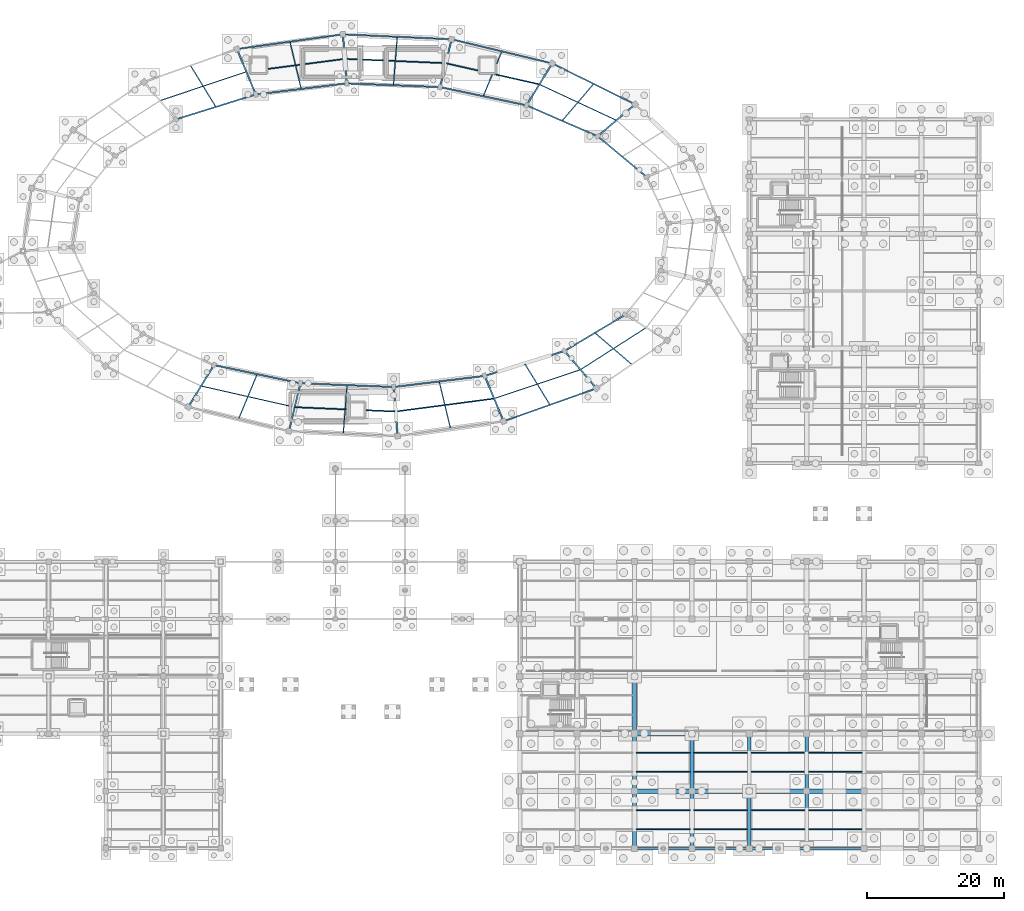
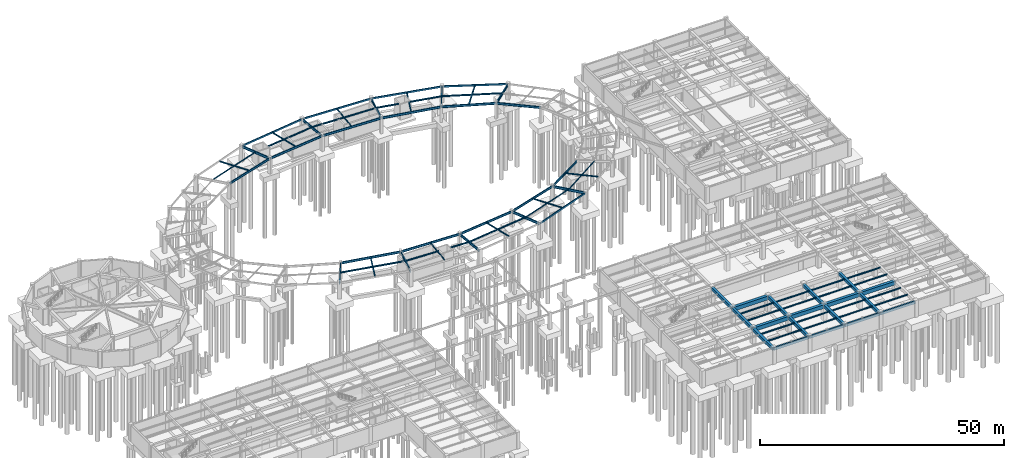
# One storey, part 18 of 38: 83 beams.
"""IFC4 building model written with IfcOpenShell, lengths in metres."""

from ifc_helpers import new_model, si_unit, direction, frame, origin, origin_2d, place, context, subcontext, project, spatial, rectangle, hollow_rectangle, i_section, extrude, material, material_profile, profile_set, type_object, element, save


model = new_model("IFC4")

# Units and contexts
model_context = context("Model", 3, precision=1e-05, world=origin(), true_north=direction((0.0, 1.0)))
body_context = subcontext(model_context, "Body", "Model", "MODEL_VIEW")
ifc_project = project(units=[si_unit("LENGTHUNIT", "METRE"), si_unit("AREAUNIT", "SQUARE_METRE"), si_unit("VOLUMEUNIT", "CUBIC_METRE"), si_unit("PLANEANGLEUNIT", "RADIAN"), si_unit("MASSUNIT", "GRAM", prefix="KILO"), si_unit("THERMODYNAMICTEMPERATUREUNIT", "KELVIN"), si_unit("POWERUNIT", "WATT")], contexts=[model_context])

# Site, building, storey
site_placement = place(None, origin())
site = spatial("IfcSite", under=ifc_project, at=site_placement, CompositionType="ELEMENT")
building_placement = place(site_placement, origin())
building = spatial("IfcBuilding", under=site, at=building_placement, Name="Darbajah Civic Hall", CompositionType="ELEMENT")
storey_placement = place(building_placement, frame((0.0, 0.0, -4.199951171875)))
storey = spatial("IfcBuildingStorey", under=building, at=storey_placement, Name="B01", CompositionType="ELEMENT", Elevation=-4.199951171875)

# Beams
ifc_material_1 = material(Name="Concrete C45/55", Category="concrete")
ifc_material_profile_1 = material_profile(ifc_material_1, rectangle(XDim=0.550048828125, YDim=0.75, at=origin_2d()), Name="RC BEAM 550x750")
ifc_profile_set_1 = profile_set([ifc_material_profile_1], Name="Concrete C45/55")
beam_type_1 = type_object("IfcBeamType", Name="RC BEAM 550x750", PredefinedType="BEAM", material=ifc_profile_set_1)
for number, where, z_axis, x_axis, name in (
    (1, (127.800048828125, 0.080078125, 3.52490234375), (0.0, 1.0, 0.0), (-1.0, 0.0, 0.0), "B01 beam BM-5575"),
    (2, (127.800048828125, 8.47998046875, 3.52490234375), (0.0, 1.0, 0.0), (-1.0, 0.0, 0.0), "B01 beam BM-5575"),
):
    element("IfcBeam", number, at=place(storey_placement, frame(where, z_axis=z_axis, x_axis=x_axis)), inside=storey, type_object=beam_type_1, Name=name, PredefinedType="BEAM", context=body_context, shape_type="SweptSolid", body=[
        extrude(rectangle(XDim=0.550048828125, YDim=0.75, at=origin_2d()), origin(), (0.0, 0.0, 1.0), 8.239990234375),
    ])
beam_1_placement = place(storey_placement, frame((127.800048828125, 16.8798828125, 3.52490234375), z_axis=(0.0, 1.0, 0.0), x_axis=(-1.0, 0.0, 0.0)))
element("IfcBeam", 3, at=beam_1_placement, inside=storey, type_object=beam_type_1, Name="B01 beam BM-5575", PredefinedType="BEAM", context=body_context, shape_type="SweptSolid", body=[
    extrude(rectangle(XDim=0.550048828125, YDim=0.75, at=origin_2d()), origin(), (0.0, 0.0, 1.0), 8.240234375),
])
for number, where, z_axis, x_axis, name in (
    (4, (136.199951171875, 0.080078125, 3.52490234375), (0.0, 1.0, 0.0), (-1.0, 0.0, 0.0), "B01 beam BM-5575"),
    (5, (136.199951171875, 8.47998046875, 3.52490234375), (0.0, 1.0, 0.0), (-1.0, 0.0, 0.0), "B01 beam BM-5575"),
    (6, (144.60009765625, 0.080078125, 3.52490234375), (0.0, 1.0, 0.0), (-1.0, 0.0, 0.0), "B01 beam BM-5575"),
    (7, (144.60009765625, 8.47998046875, 3.52490234375), (0.0, 1.0, 0.0), (-1.0, 0.0, 0.0), "B01 beam BM-5575"),
    (8, (153.0, 0.080078125, 3.52490234375), (0.0, 1.0, 0.0), (-1.0, 0.0, 0.0), "B01 beam BM-5575"),
    (9, (153.0, 8.47998046875, 3.52490234375), (0.0, 1.0, 0.0), (-1.0, 0.0, 0.0), "B01 beam BM-5575"),
):
    element("IfcBeam", number, at=place(storey_placement, frame(where, z_axis=z_axis, x_axis=x_axis)), inside=storey, type_object=beam_type_1, Name=name, PredefinedType="BEAM", context=body_context, shape_type="SweptSolid", body=[
        extrude(rectangle(XDim=0.550048828125, YDim=0.75, at=origin_2d()), origin(), (0.0, 0.0, 1.0), 8.239990234375),
    ])
ifc_material_2 = material(Name="Concrete C50/60", Category="concrete")
ifc_material_profile_2 = material_profile(ifc_material_2, rectangle(XDim=0.64990234375, YDim=0.949951171875, at=origin_2d()), Name="RC GIRDER 650x950")
ifc_profile_set_2 = profile_set([ifc_material_profile_2], Name="Concrete C50/60")
beam_type_2 = type_object("IfcBeamType", Name="RC GIRDER 650x950", PredefinedType="BEAM", material=ifc_profile_set_2)
beam_2_placement = place(storey_placement, frame((127.8798828125, 8.39990234375, 3.425048828125), z_axis=(1.0, 0.0, 0.0), x_axis=(0.0, 1.0, 0.0)))
element("IfcBeam", 10, at=beam_2_placement, inside=storey, type_object=beam_type_2, Name="B01 beam BG-6595", PredefinedType="BEAM", context=body_context, shape_type="SweptSolid", body=[
    extrude(rectangle(XDim=0.64990234375, YDim=0.949951171875, at=origin_2d()), origin(), (0.0, 0.0, 1.0), 8.240234375),
])
for number, where, z_axis, x_axis, name in (
    (11, (136.280029296875, 8.39990234375, 3.425048828125), (1.0, 0.0, 0.0), (0.0, 1.0, 0.0), "B01 beam BG-6595"),
    (12, (144.679931640625, 8.39990234375, 3.425048828125), (1.0, 0.0, 0.0), (0.0, 1.0, 0.0), "B01 beam BG-6595"),
    (13, (153.080078125, 8.39990234375, 3.425048828125), (1.0, 0.0, 0.0), (0.0, 1.0, 0.0), "B01 beam BG-6595"),
):
    element("IfcBeam", number, at=place(storey_placement, frame(where, z_axis=z_axis, x_axis=x_axis)), inside=storey, type_object=beam_type_2, Name=name, PredefinedType="BEAM", context=body_context, shape_type="SweptSolid", body=[
        extrude(rectangle(XDim=0.64990234375, YDim=0.949951171875, at=origin_2d()), origin(), (0.0, 0.0, 1.0), 8.239990234375),
    ])
beam_3_placement = place(storey_placement, frame((127.8798828125, 16.800048828125, 3.425048828125), z_axis=(1.0, 0.0, 0.0), x_axis=(0.0, 1.0, 0.0)))
element("IfcBeam", 14, at=beam_3_placement, inside=storey, type_object=beam_type_2, Name="B01 beam BG-6595", PredefinedType="BEAM", context=body_context, shape_type="SweptSolid", body=[
    extrude(rectangle(XDim=0.64990234375, YDim=0.949951171875, at=origin_2d()), origin(), (0.0, 0.0, 1.0), 8.240234375),
])
ifc_material_profile_3 = material_profile(ifc_material_1, rectangle(XDim=0.35009765625, YDim=0.64990234375, at=origin_2d()), Name="RC SPANDREL 350x650")
ifc_profile_set_3 = profile_set([ifc_material_profile_3], Name="Concrete C45/55")
beam_type_3 = type_object("IfcBeamType", Name="RC SPANDREL 350x650", PredefinedType="SPANDREL", material=ifc_profile_set_3)
beam_4_placement = place(storey_placement, frame((127.8798828125, 0.0, 3.574951171875), z_axis=(1.0, 0.0, 0.0), x_axis=(0.0, 1.0, 0.0)))
element("IfcBeam", 15, at=beam_4_placement, inside=storey, type_object=beam_type_3, Name="B01 beam SP-3565", PredefinedType="SPANDREL", context=body_context, shape_type="SweptSolid", body=[
    extrude(rectangle(XDim=0.35009765625, YDim=0.64990234375, at=origin_2d()), origin(), (0.0, 0.0, 1.0), 8.240234375),
])
for number, where, z_axis, x_axis, name in (
    (16, (136.280029296875, 0.0, 3.574951171875), (1.0, 0.0, 0.0), (0.0, 1.0, 0.0), "B01 beam SP-3565"),
    (17, (144.679931640625, 0.0, 3.574951171875), (1.0, 0.0, 0.0), (0.0, 1.0, 0.0), "B01 beam SP-3565"),
    (18, (153.080078125, 0.0, 3.574951171875), (1.0, 0.0, 0.0), (0.0, 1.0, 0.0), "B01 beam SP-3565"),
):
    element("IfcBeam", number, at=place(storey_placement, frame(where, z_axis=z_axis, x_axis=x_axis)), inside=storey, type_object=beam_type_3, Name=name, PredefinedType="SPANDREL", context=body_context, shape_type="SweptSolid", body=[
        extrude(rectangle(XDim=0.35009765625, YDim=0.64990234375, at=origin_2d()), origin(), (0.0, 0.0, 1.0), 8.239990234375),
    ])
ifc_material_3 = material(Name="Steel S355JR", Category="steel")
ifc_material_profile_4 = material_profile(ifc_material_3, hollow_rectangle(XDim=0.199951171875, YDim=0.39990234375, WallThickness=0.013916015625, at=origin_2d()), Name="RHS 400x200x14")
ifc_profile_set_4 = profile_set([ifc_material_profile_4], Name="Steel S355JR")
beam_type_4 = type_object("IfcBeamType", Name="RHS 400x200x14", PredefinedType="SPANDREL", material=ifc_profile_set_4)
beam_5_placement = place(storey_placement, frame((127.80908203125, 108.994140625, 3.719970703125), z_axis=(-0.896560149568, 0.442922000139, 0.0), x_axis=(-0.442922000139, -0.896560149568, 0.0)))
element("IfcBeam", 19, at=beam_5_placement, inside=storey, type_object=beam_type_4, Name="B01 beam SP-RHS400", PredefinedType="SPANDREL", context=body_context, shape_type="SweptSolid", body=[
    extrude(hollow_rectangle(XDim=0.199951171875, YDim=0.39990234375, WallThickness=0.013916015625, at=origin_2d()), origin(), (0.0, 0.0, 1.0), 13.373291015625),
])
beam_6_placement = place(storey_placement, frame((115.669677734375, 114.971435546875, 3.719970703125), z_axis=(-0.972475144086, 0.233006639679, 0.0), x_axis=(-0.233006639679, -0.972475144086, 0.0)))
element("IfcBeam", 20, at=beam_6_placement, inside=storey, type_object=beam_type_4, Name="B01 beam SP-RHS400", PredefinedType="SPANDREL", context=body_context, shape_type="SweptSolid", body=[
    extrude(hollow_rectangle(XDim=0.199951171875, YDim=0.39990234375, WallThickness=0.013916015625, at=origin_2d()), origin(), (0.0, 0.0, 1.0), 14.9990234375),
])
beam_7_placement = place(storey_placement, frame((100.92578125, 118.488525390625, 3.719970703125), z_axis=(-0.998964928608, 0.04548704664, 0.0), x_axis=(-0.04548704664, -0.998964928608, 0.0)))
element("IfcBeam", 21, at=beam_7_placement, inside=storey, type_object=beam_type_4, Name="B01 beam SP-RHS400", PredefinedType="SPANDREL", context=body_context, shape_type="SweptSolid", body=[
    extrude(hollow_rectangle(XDim=0.199951171875, YDim=0.39990234375, WallThickness=0.013916015625, at=origin_2d()), origin(), (0.0, 0.0, 1.0), 15.763671875),
])
beam_8_placement = place(storey_placement, frame((85.019287109375, 119.197998046875, 3.719970703125), z_axis=(-0.990495253006, -0.137546914804, 0.0), x_axis=(0.137546914804, -0.990495253006, 0.0)))
element("IfcBeam", 22, at=beam_8_placement, inside=storey, type_object=beam_type_4, Name="B01 beam SP-RHS400", PredefinedType="SPANDREL", context=body_context, shape_type="SweptSolid", body=[
    extrude(hollow_rectangle(XDim=0.199951171875, YDim=0.39990234375, WallThickness=0.013916015625, at=origin_2d()), origin(), (0.0, 0.0, 1.0), 15.50439453125),
])
beam_9_placement = place(storey_placement, frame((108.6923828125, 62.572265625, 3.719970703125), z_axis=(0.942537934189, 0.334099150875, 0.0), x_axis=(-0.334099150875, 0.942537934189, 0.0)))
element("IfcBeam", 23, at=beam_9_placement, inside=storey, type_object=beam_type_4, Name="B01 beam SP-RHS400", PredefinedType="SPANDREL", context=body_context, shape_type="SweptSolid", body=[
    extrude(hollow_rectangle(XDim=0.199951171875, YDim=0.39990234375, WallThickness=0.013916015625, at=origin_2d()), origin(), (0.0, 0.0, 1.0), 14.2744140625),
])
ifc_material_profile_5 = material_profile(ifc_material_3, i_section(OverallWidth=0.146484375, OverallDepth=0.256103515625, WebThickness=0.00634765625, FlangeThickness=0.010986328125, FilletRadius=0.007568359375, at=origin_2d()), Name="UB 254x146x37")
ifc_profile_set_5 = profile_set([ifc_material_profile_5], Name="Steel S355JR")
beam_type_5 = type_object("IfcBeamType", Name="UB 254x146x37", PredefinedType="JOIST", material=ifc_profile_set_5)
beam_10_placement = place(storey_placement, frame((125.0380859375, 106.669921875, 3.7919921875), z_axis=(-0.906187225773, 0.422876709982, 0.0), x_axis=(-0.422876709982, -0.906187225773, 0.0)))
element("IfcBeam", 24, at=beam_10_placement, inside=storey, type_object=beam_type_5, Name="B01 beam SJ-254", PredefinedType="JOIST", context=body_context, shape_type="SweptSolid", body=[
    extrude(i_section(OverallWidth=0.146484375, OverallDepth=0.256103515625, WebThickness=0.00634765625, FlangeThickness=0.010986328125, FilletRadius=0.007568359375, at=origin_2d()), origin(), (0.0, 0.0, 1.0), 12.21240234375),
])
beam_11_placement = place(storey_placement, frame((113.75341796875, 111.908935546875, 3.7919921875), z_axis=(-0.975333988731, 0.220734252953, 0.0), x_axis=(-0.220734252953, -0.975333988731, 0.0)))
element("IfcBeam", 25, at=beam_11_placement, inside=storey, type_object=beam_type_5, Name="B01 beam SJ-254", PredefinedType="JOIST", context=body_context, shape_type="SweptSolid", body=[
    extrude(i_section(OverallWidth=0.146484375, OverallDepth=0.256103515625, WebThickness=0.00634765625, FlangeThickness=0.010986328125, FilletRadius=0.007568359375, at=origin_2d()), origin(), (0.0, 0.0, 1.0), 6.663818359375),
])
beam_12_placement = place(storey_placement, frame((104.8798828125, 113.917236328125, 3.7919921875), z_axis=(-0.97532969835, 0.220753209527, 0.0), x_axis=(-0.220753209527, -0.97532969835, 0.0)))
element("IfcBeam", 26, at=beam_12_placement, inside=storey, type_object=beam_type_5, Name="B01 beam SJ-254", PredefinedType="JOIST", context=body_context, shape_type="SweptSolid", body=[
    extrude(i_section(OverallWidth=0.146484375, OverallDepth=0.256103515625, WebThickness=0.00634765625, FlangeThickness=0.010986328125, FilletRadius=0.007568359375, at=origin_2d()), origin(), (0.0, 0.0, 1.0), 4.718017578125),
])
beam_13_placement = place(storey_placement, frame((100.04931640625, 114.9892578125, 3.7919921875), z_axis=(-0.999076133229, 0.042975341916, 0.0), x_axis=(-0.042975341916, -0.999076133229, 0.0)))
element("IfcBeam", 27, at=beam_13_placement, inside=storey, type_object=beam_type_5, Name="B01 beam SJ-254", PredefinedType="JOIST", context=body_context, shape_type="SweptSolid", body=[
    extrude(i_section(OverallWidth=0.146484375, OverallDepth=0.256103515625, WebThickness=0.00634765625, FlangeThickness=0.010986328125, FilletRadius=0.007568359375, at=origin_2d()), origin(), (0.0, 0.0, 1.0), 14.56591796875),
])
beam_14_placement = place(storey_placement, frame((85.26611328125, 115.60498046875, 3.7919921875), z_axis=(-0.991505077438, -0.130067987663, 0.0), x_axis=(0.130067987663, -0.991505077438, 0.0)))
element("IfcBeam", 28, at=beam_14_placement, inside=storey, type_object=beam_type_5, Name="B01 beam SJ-254", PredefinedType="JOIST", context=body_context, shape_type="SweptSolid", body=[
    extrude(i_section(OverallWidth=0.146484375, OverallDepth=0.256103515625, WebThickness=0.00634765625, FlangeThickness=0.010986328125, FilletRadius=0.007568359375, at=origin_2d()), origin(), (0.0, 0.0, 1.0), 11.241455078125),
])
beam_15_placement = place(storey_placement, frame((70.850830078125, 113.691650390625, 3.7919921875), z_axis=(-0.948257615403, -0.317501960357, 0.0), x_axis=(0.317501960357, -0.948257615403, 0.0)))
element("IfcBeam", 29, at=beam_15_placement, inside=storey, type_object=beam_type_5, Name="B01 beam SJ-254", PredefinedType="JOIST", context=body_context, shape_type="SweptSolid", body=[
    extrude(i_section(OverallWidth=0.146484375, OverallDepth=0.256103515625, WebThickness=0.00634765625, FlangeThickness=0.010986328125, FilletRadius=0.007568359375, at=origin_2d()), origin(), (0.0, 0.0, 1.0), 13.102783203125),
])
beam_16_placement = place(storey_placement, frame((64.44677734375, 67.69091796875, 3.7919921875), z_axis=(0.975334334992, -0.220732722961, 0.0), x_axis=(0.220732722961, 0.975334334992, 0.0)))
element("IfcBeam", 30, at=beam_16_placement, inside=storey, type_object=beam_type_5, Name="B01 beam SJ-254", PredefinedType="JOIST", context=body_context, shape_type="SweptSolid", body=[
    extrude(i_section(OverallWidth=0.146484375, OverallDepth=0.256103515625, WebThickness=0.00634765625, FlangeThickness=0.010986328125, FilletRadius=0.007568359375, at=origin_2d()), origin(), (0.0, 0.0, 1.0), 13.815673828125),
])
beam_17_placement = place(storey_placement, frame((78.150634765625, 64.610595703125, 3.7919921875), z_axis=(0.999076946923, -0.042956421259, 0.0), x_axis=(0.042956421259, 0.999076946923, 0.0)))
element("IfcBeam", 31, at=beam_17_placement, inside=storey, type_object=beam_type_5, Name="B01 beam SJ-254", PredefinedType="JOIST", context=body_context, shape_type="SweptSolid", body=[
    extrude(i_section(OverallWidth=0.146484375, OverallDepth=0.256103515625, WebThickness=0.00634765625, FlangeThickness=0.010986328125, FilletRadius=0.007568359375, at=origin_2d()), origin(), (0.0, 0.0, 1.0), 7.5361328125),
])
beam_18_placement = place(storey_placement, frame((88.419921875, 64.1689453125, 3.7919921875), z_axis=(0.999077737956, -0.042938019518, 0.0), x_axis=(0.042938019518, 0.999077737956, 0.0)))
element("IfcBeam", 32, at=beam_18_placement, inside=storey, type_object=beam_type_5, Name="B01 beam SJ-254", PredefinedType="JOIST", context=body_context, shape_type="SweptSolid", body=[
    extrude(i_section(OverallWidth=0.146484375, OverallDepth=0.256103515625, WebThickness=0.00634765625, FlangeThickness=0.010986328125, FilletRadius=0.007568359375, at=origin_2d()), origin(), (0.0, 0.0, 1.0), 4.287109375),
])
beam_19_placement = place(storey_placement, frame((92.93408203125, 63.994873046875, 3.7919921875), z_axis=(0.991504446027, 0.130072800801, 0.0), x_axis=(-0.130072800801, 0.991504446027, 0.0)))
element("IfcBeam", 33, at=beam_19_placement, inside=storey, type_object=beam_type_5, Name="B01 beam SJ-254", PredefinedType="JOIST", context=body_context, shape_type="SweptSolid", body=[
    extrude(i_section(OverallWidth=0.146484375, OverallDepth=0.256103515625, WebThickness=0.00634765625, FlangeThickness=0.010986328125, FilletRadius=0.007568359375, at=origin_2d()), origin(), (0.0, 0.0, 1.0), 14.311767578125),
])
beam_20_placement = place(storey_placement, frame((107.34912109375, 65.908447265625, 3.7919921875), z_axis=(0.948257615403, 0.317501960357, 0.0), x_axis=(-0.317501960357, 0.948257615403, 0.0)))
element("IfcBeam", 34, at=beam_20_placement, inside=storey, type_object=beam_type_5, Name="B01 beam SJ-254", PredefinedType="JOIST", context=body_context, shape_type="SweptSolid", body=[
    extrude(i_section(OverallWidth=0.146484375, OverallDepth=0.256103515625, WebThickness=0.00634765625, FlangeThickness=0.010986328125, FilletRadius=0.007568359375, at=origin_2d()), origin(), (0.0, 0.0, 1.0), 13.102783203125),
])
beam_21_placement = place(storey_placement, frame((119.981689453125, 70.16796875, 3.7919921875), z_axis=(0.842354117653, 0.538924429279, 0.0), x_axis=(-0.538924429279, 0.842354117653, 0.0)))
element("IfcBeam", 35, at=beam_21_placement, inside=storey, type_object=beam_type_5, Name="B01 beam SJ-254", PredefinedType="JOIST", context=body_context, shape_type="SweptSolid", body=[
    extrude(i_section(OverallWidth=0.146484375, OverallDepth=0.256103515625, WebThickness=0.00634765625, FlangeThickness=0.010986328125, FilletRadius=0.007568359375, at=origin_2d()), origin(), (0.0, 0.0, 1.0), 11.20166015625),
])
for number, where, z_axis, x_axis, name in (
    (36, (128.074951171875, 2.800048828125, 3.77197265625), (1.0, 0.0, 0.0), (0.0, 1.0, 0.0), "B01 beam SJ-254"),
    (37, (128.074951171875, 5.60009765625, 3.77197265625), (1.0, 0.0, 0.0), (0.0, 1.0, 0.0), "B01 beam SJ-254"),
    (38, (128.074951171875, 11.199951171875, 3.77197265625), (1.0, 0.0, 0.0), (0.0, 1.0, 0.0), "B01 beam SJ-254"),
    (39, (128.074951171875, 14.0, 3.77197265625), (1.0, 0.0, 0.0), (0.0, 1.0, 0.0), "B01 beam SJ-254"),
):
    element("IfcBeam", number, at=place(storey_placement, frame(where, z_axis=z_axis, x_axis=x_axis)), inside=storey, type_object=beam_type_5, Name=name, PredefinedType="JOIST", context=body_context, shape_type="SweptSolid", body=[
        extrude(i_section(OverallWidth=0.146484375, OverallDepth=0.256103515625, WebThickness=0.00634765625, FlangeThickness=0.010986328125, FilletRadius=0.007568359375, at=origin_2d()), origin(), (0.0, 0.0, 1.0), 7.85009765625),
    ])
for number, where, z_axis, x_axis, name in (
    (40, (136.47509765625, 2.800048828125, 3.77197265625), (1.0, 0.0, 0.0), (0.0, 1.0, 0.0), "B01 beam SJ-254"),
    (41, (136.47509765625, 5.60009765625, 3.77197265625), (1.0, 0.0, 0.0), (0.0, 1.0, 0.0), "B01 beam SJ-254"),
    (42, (136.47509765625, 11.199951171875, 3.77197265625), (1.0, 0.0, 0.0), (0.0, 1.0, 0.0), "B01 beam SJ-254"),
    (43, (136.47509765625, 14.0, 3.77197265625), (1.0, 0.0, 0.0), (0.0, 1.0, 0.0), "B01 beam SJ-254"),
):
    element("IfcBeam", number, at=place(storey_placement, frame(where, z_axis=z_axis, x_axis=x_axis)), inside=storey, type_object=beam_type_5, Name=name, PredefinedType="JOIST", context=body_context, shape_type="SweptSolid", body=[
        extrude(i_section(OverallWidth=0.146484375, OverallDepth=0.256103515625, WebThickness=0.00634765625, FlangeThickness=0.010986328125, FilletRadius=0.007568359375, at=origin_2d()), origin(), (0.0, 0.0, 1.0), 7.849853515625),
    ])
for number, where, z_axis, x_axis, name in (
    (44, (144.875, 2.800048828125, 3.77197265625), (1.0, 0.0, 0.0), (0.0, 1.0, 0.0), "B01 beam SJ-254"),
    (45, (144.875, 5.60009765625, 3.77197265625), (1.0, 0.0, 0.0), (0.0, 1.0, 0.0), "B01 beam SJ-254"),
    (46, (144.875, 11.199951171875, 3.77197265625), (1.0, 0.0, 0.0), (0.0, 1.0, 0.0), "B01 beam SJ-254"),
    (47, (144.875, 14.0, 3.77197265625), (1.0, 0.0, 0.0), (0.0, 1.0, 0.0), "B01 beam SJ-254"),
    (48, (153.27490234375, 2.800048828125, 3.77197265625), (1.0, 0.0, 0.0), (0.0, 1.0, 0.0), "B01 beam SJ-254"),
    (49, (153.27490234375, 5.60009765625, 3.77197265625), (1.0, 0.0, 0.0), (0.0, 1.0, 0.0), "B01 beam SJ-254"),
    (50, (153.27490234375, 11.199951171875, 3.77197265625), (1.0, 0.0, 0.0), (0.0, 1.0, 0.0), "B01 beam SJ-254"),
    (51, (153.27490234375, 14.0, 3.77197265625), (1.0, 0.0, 0.0), (0.0, 1.0, 0.0), "B01 beam SJ-254"),
):
    element("IfcBeam", number, at=place(storey_placement, frame(where, z_axis=z_axis, x_axis=x_axis)), inside=storey, type_object=beam_type_5, Name=name, PredefinedType="JOIST", context=body_context, shape_type="SweptSolid", body=[
        extrude(i_section(OverallWidth=0.146484375, OverallDepth=0.256103515625, WebThickness=0.00634765625, FlangeThickness=0.010986328125, FilletRadius=0.007568359375, at=origin_2d()), origin(), (0.0, 0.0, 1.0), 7.85009765625),
    ])
ifc_material_profile_6 = material_profile(ifc_material_3, i_section(OverallWidth=0.165771484375, OverallDepth=0.306640625, WebThickness=0.006591796875, FlangeThickness=0.01171875, FilletRadius=0.0087890625, at=origin_2d()), Name="UB 305x165x46")
ifc_profile_set_6 = profile_set([ifc_material_profile_6], Name="Steel S355JR")
beam_type_6 = type_object("IfcBeamType", Name="UB 305x165x46", PredefinedType="JOIST", material=ifc_profile_set_6)
beam_22_placement = place(storey_placement, frame((117.264404296875, 106.62890625, 3.7666015625), z_axis=(0.649456456581, 0.760398784195, 0.0), x_axis=(-0.760398784195, 0.649456456581, 0.0)))
element("IfcBeam", 52, at=beam_22_placement, inside=storey, type_object=beam_type_6, Name="B01 beam SJ-305", PredefinedType="JOIST", context=body_context, shape_type="SweptSolid", body=[
    extrude(i_section(OverallWidth=0.165771484375, OverallDepth=0.306640625, WebThickness=0.006591796875, FlangeThickness=0.01171875, FilletRadius=0.0087890625, at=origin_2d()), origin(), (0.0, 0.0, 1.0), 6.9033203125),
])
beam_23_placement = place(storey_placement, frame((105.69580078125, 110.246826171875, 3.7666015625), z_axis=(0.382646399195, 0.923894871283, 0.0), x_axis=(-0.923894871283, 0.382646399195, 0.0)))
element("IfcBeam", 53, at=beam_23_placement, inside=storey, type_object=beam_type_6, Name="B01 beam SJ-305", PredefinedType="JOIST", context=body_context, shape_type="SweptSolid", body=[
    extrude(i_section(OverallWidth=0.165771484375, OverallDepth=0.306640625, WebThickness=0.006591796875, FlangeThickness=0.01171875, FilletRadius=0.0087890625, at=origin_2d()), origin(), (0.0, 0.0, 1.0), 3.39111328125),
])
beam_24_placement = place(storey_placement, frame((107.6201171875, 114.892578125, 3.7666015625), z_axis=(0.382589483091, 0.923918441978, 0.0), x_axis=(-0.923918441978, 0.382589483091, 0.0)))
element("IfcBeam", 54, at=beam_24_placement, inside=storey, type_object=beam_type_6, Name="B01 beam SJ-305", PredefinedType="JOIST", context=body_context, shape_type="SweptSolid", body=[
    extrude(i_section(OverallWidth=0.165771484375, OverallDepth=0.306640625, WebThickness=0.006591796875, FlangeThickness=0.01171875, FilletRadius=0.0087890625, at=origin_2d()), origin(), (0.0, 0.0, 1.0), 1.874755859375),
])
for number, where, z_axis, x_axis, name in (
    (55, (92.50244140625, 111.86328125, 3.7666015625), (0.078475881788, 0.996916012499, 0.0), (-0.996916012499, 0.078475881788, 0.0), "B01 beam SJ-305"),
    (56, (78.976318359375, 111.320068359375, 3.7666015625), (-0.233446518106, 0.972369643286, 0.0), (-0.972369643286, -0.233446518106, 0.0), "B01 beam SJ-305"),
    (57, (66.44091796875, 108.670166015625, 3.7666015625), (-0.522498199588, 0.852640388105, 0.0), (-0.852640388105, -0.522498199588, 0.0), "B01 beam SJ-305"),
    (58, (72.50439453125, 69.353271484375, 3.7666015625), (-0.382685995053, -0.923878471007, 0.0), (0.923878471007, -0.382685995053, 0.0), "B01 beam SJ-305"),
    (59, (85.697509765625, 67.73681640625, 3.7666015625), (-0.078440734012, -0.996918778661, 0.0), (0.996918778661, -0.078440734012, 0.0), "B01 beam SJ-305"),
    (60, (99.2236328125, 68.280029296875, 3.7666015625), (0.233446518106, -0.972369643286, 0.0), (0.972369643286, 0.233446518106, 0.0), "B01 beam SJ-305"),
    (61, (111.759033203125, 70.9296875, 3.7666015625), (0.522523909848, -0.852624632319, 0.0), (0.852624632319, 0.522523909848, 0.0), "B01 beam SJ-305"),
    (62, (122.076416015625, 75.4267578125, 3.7666015625), (0.760398784195, -0.649456456581, 0.0), (0.649456456581, 0.760398784195, 0.0), "B01 beam SJ-305"),
):
    element("IfcBeam", number, at=place(storey_placement, frame(where, z_axis=z_axis, x_axis=x_axis)), inside=storey, type_object=beam_type_6, Name=name, PredefinedType="JOIST", context=body_context, shape_type="SweptSolid", body=[
        extrude(i_section(OverallWidth=0.165771484375, OverallDepth=0.306640625, WebThickness=0.006591796875, FlangeThickness=0.01171875, FilletRadius=0.0087890625, at=origin_2d()), origin(), (0.0, 0.0, 1.0), 6.9033203125),
    ])
ifc_material_profile_7 = material_profile(ifc_material_3, i_section(OverallWidth=0.209228515625, OverallDepth=0.533203125, WebThickness=0.010009765625, FlangeThickness=0.015625, FilletRadius=0.0126953125, at=origin_2d()), Name="UB 533x210x92")
ifc_profile_set_7 = profile_set([ifc_material_profile_7], Name="Steel S355JR")
beam_type_7 = type_object("IfcBeamType", Name="UB 533x210x92", PredefinedType="BEAM", material=ifc_profile_set_7)
beam_25_placement = place(storey_placement, frame((129.50439453125, 98.385009765625, 3.6533203125), z_axis=(-0.769165350471, 0.63904981311, 0.0), x_axis=(-0.63904981311, -0.769165350471, 0.0)))
element("IfcBeam", 63, at=beam_25_placement, inside=storey, type_object=beam_type_7, Name="B01 beam SB-533", PredefinedType="BEAM", context=body_context, shape_type="SweptSolid", body=[
    extrude(i_section(OverallWidth=0.209228515625, OverallDepth=0.533203125, WebThickness=0.010009765625, FlangeThickness=0.015625, FilletRadius=0.0126953125, at=origin_2d()), origin(), (0.0, 0.0, 1.0), 9.14892578125),
])
beam_26_placement = place(storey_placement, frame((122.33251953125, 104.314697265625, 3.6533203125), z_axis=(-0.91705481115, 0.398761173319, 0.0), x_axis=(-0.398761173319, -0.91705481115, 0.0)))
element("IfcBeam", 64, at=beam_26_placement, inside=storey, type_object=beam_type_7, Name="B01 beam SB-533", PredefinedType="BEAM", context=body_context, shape_type="SweptSolid", body=[
    extrude(i_section(OverallWidth=0.209228515625, OverallDepth=0.533203125, WebThickness=0.010009765625, FlangeThickness=0.015625, FilletRadius=0.0126953125, at=origin_2d()), origin(), (0.0, 0.0, 1.0), 11.202880859375),
])
beam_27_placement = place(storey_placement, frame((111.906982421875, 108.830322265625, 3.6533203125), z_axis=(-0.978476951565, 0.206356136949, 0.0), x_axis=(-0.206356136949, -0.978476951565, 0.0)))
element("IfcBeam", 65, at=beam_27_placement, inside=storey, type_object=beam_type_7, Name="B01 beam SB-533", PredefinedType="BEAM", context=body_context, shape_type="SweptSolid", body=[
    extrude(i_section(OverallWidth=0.209228515625, OverallDepth=0.533203125, WebThickness=0.010009765625, FlangeThickness=0.015625, FilletRadius=0.0126953125, at=origin_2d()), origin(), (0.0, 0.0, 1.0), 12.77880859375),
])
beam_28_placement = place(storey_placement, frame((99.2451171875, 111.487060546875, 3.6533203125), z_axis=(-0.999198156642, 0.040038028952, 0.0), x_axis=(-0.040038028952, -0.999198156642, 0.0)))
element("IfcBeam", 66, at=beam_28_placement, inside=storey, type_object=beam_type_7, Name="B01 beam SB-533", PredefinedType="BEAM", context=body_context, shape_type="SweptSolid", body=[
    extrude(i_section(OverallWidth=0.209228515625, OverallDepth=0.533203125, WebThickness=0.010009765625, FlangeThickness=0.015625, FilletRadius=0.0126953125, at=origin_2d()), origin(), (0.0, 0.0, 1.0), 13.512451171875),
])
beam_29_placement = place(storey_placement, frame((85.583984375, 112.021484375, 3.6533203125), z_axis=(-0.992611744559, -0.121333938216, 0.0), x_axis=(0.121333938216, -0.992611744559, 0.0)))
element("IfcBeam", 67, at=beam_29_placement, inside=storey, type_object=beam_type_7, Name="B01 beam SB-533", PredefinedType="BEAM", context=body_context, shape_type="SweptSolid", body=[
    extrude(i_section(OverallWidth=0.209228515625, OverallDepth=0.533203125, WebThickness=0.010009765625, FlangeThickness=0.015625, FilletRadius=0.0126953125, at=origin_2d()), origin(), (0.0, 0.0, 1.0), 13.263916015625),
])
beam_30_placement = place(storey_placement, frame((72.26220703125, 110.378662109375, 3.6533203125), z_axis=(-0.954619766764, -0.297827300468, 0.0), x_axis=(0.297827300468, -0.954619766764, 0.0)))
element("IfcBeam", 68, at=beam_30_placement, inside=storey, type_object=beam_type_7, Name="B01 beam SB-533", PredefinedType="BEAM", context=body_context, shape_type="SweptSolid", body=[
    extrude(i_section(OverallWidth=0.209228515625, OverallDepth=0.533203125, WebThickness=0.010009765625, FlangeThickness=0.015625, FilletRadius=0.0126953125, at=origin_2d()), origin(), (0.0, 0.0, 1.0), 12.07958984375),
])
beam_31_placement = place(storey_placement, frame((66.29296875, 70.76953125, 3.6533203125), z_axis=(0.97848162244, -0.206333987862, 0.0), x_axis=(0.206333987862, 0.97848162244, 0.0)))
element("IfcBeam", 69, at=beam_31_placement, inside=storey, type_object=beam_type_7, Name="B01 beam SB-533", PredefinedType="BEAM", context=body_context, shape_type="SweptSolid", body=[
    extrude(i_section(OverallWidth=0.209228515625, OverallDepth=0.533203125, WebThickness=0.010009765625, FlangeThickness=0.015625, FilletRadius=0.0126953125, at=origin_2d()), origin(), (0.0, 0.0, 1.0), 12.77880859375),
])
beam_32_placement = place(storey_placement, frame((78.955078125, 68.113037109375, 3.6533203125), z_axis=(0.999198127678, -0.04003875178, 0.0), x_axis=(0.04003875178, 0.999198127678, 0.0)))
element("IfcBeam", 70, at=beam_32_placement, inside=storey, type_object=beam_type_7, Name="B01 beam SB-533", PredefinedType="BEAM", context=body_context, shape_type="SweptSolid", body=[
    extrude(i_section(OverallWidth=0.209228515625, OverallDepth=0.533203125, WebThickness=0.010009765625, FlangeThickness=0.015625, FilletRadius=0.0126953125, at=origin_2d()), origin(), (0.0, 0.0, 1.0), 13.51220703125),
])
beam_33_placement = place(storey_placement, frame((92.615966796875, 67.578369140625, 3.6533203125), z_axis=(0.992611744559, 0.121333938216, 0.0), x_axis=(-0.121333938216, 0.992611744559, 0.0)))
element("IfcBeam", 71, at=beam_33_placement, inside=storey, type_object=beam_type_7, Name="B01 beam SB-533", PredefinedType="BEAM", context=body_context, shape_type="SweptSolid", body=[
    extrude(i_section(OverallWidth=0.209228515625, OverallDepth=0.533203125, WebThickness=0.010009765625, FlangeThickness=0.015625, FilletRadius=0.0126953125, at=origin_2d()), origin(), (0.0, 0.0, 1.0), 13.263916015625),
])
beam_34_placement = place(storey_placement, frame((105.93798828125, 69.22119140625, 3.6533203125), z_axis=(0.954614020433, 0.297845718441, 0.0), x_axis=(-0.297845718441, 0.954614020433, 0.0)))
element("IfcBeam", 72, at=beam_34_placement, inside=storey, type_object=beam_type_7, Name="B01 beam SB-533", PredefinedType="BEAM", context=body_context, shape_type="SweptSolid", body=[
    extrude(i_section(OverallWidth=0.209228515625, OverallDepth=0.533203125, WebThickness=0.010009765625, FlangeThickness=0.015625, FilletRadius=0.0126953125, at=origin_2d()), origin(), (0.0, 0.0, 1.0), 12.079833984375),
])
beam_35_placement = place(storey_placement, frame((117.614501953125, 72.8837890625, 3.6533203125), z_axis=(0.858952844576, 0.51205469512, 0.0), x_axis=(-0.51205469512, 0.858952844576, 0.0)))
element("IfcBeam", 73, at=beam_35_placement, inside=storey, type_object=beam_type_7, Name="B01 beam SB-533", PredefinedType="BEAM", context=body_context, shape_type="SweptSolid", body=[
    extrude(i_section(OverallWidth=0.209228515625, OverallDepth=0.533203125, WebThickness=0.010009765625, FlangeThickness=0.015625, FilletRadius=0.0126953125, at=origin_2d()), origin(), (0.0, 0.0, 1.0), 10.201416015625),
])
ifc_material_profile_8 = material_profile(ifc_material_3, i_section(OverallWidth=0.228271484375, OverallDepth=0.607666015625, WebThickness=0.010986328125, FlangeThickness=0.017333984375, FilletRadius=0.0126953125, at=origin_2d()), Name="UB 610x229x113")
ifc_profile_set_8 = profile_set([ifc_material_profile_8], Name="Steel S355JR")
beam_type_8 = type_object("IfcBeamType", Name="UB 610x229x113", PredefinedType="BEAM", material=ifc_profile_set_8)
for number, where, z_axis, x_axis, name in (
    (74, (122.466552734375, 104.334716796875, 3.6162109375), (0.760413281686, 0.649439482197, 0.0), (-0.649439482197, 0.760413281686, 0.0), "B01 beam SB-610"),
    (75, (112.027099609375, 108.882080078125, 3.6162109375), (0.522500254411, 0.852639128905, 0.0), (-0.852639128905, 0.522500254411, 0.0), "B01 beam SB-610"),
    (76, (99.343505859375, 111.5615234375, 3.6162109375), (0.233459518071, 0.972366522162, 0.0), (-0.972366522162, 0.233459518071, 0.0), "B01 beam SB-610"),
    (77, (85.6572265625, 112.111083984375, 3.6162109375), (-0.078444000969, 0.996918521601, 0.0), (-0.996918521601, -0.078444000969, 0.0), "B01 beam SB-610"),
    (78, (72.307861328125, 110.476318359375, 3.6162109375), (-0.382681552297, 0.923880311259, 0.0), (-0.923880311259, -0.382681552297, 0.0), "B01 beam SB-610"),
    (79, (66.1728515625, 70.718017578125, 3.6162109375), (-0.522500254411, -0.852639128905, 0.0), (0.852639128905, -0.522500254411, 0.0), "B01 beam SB-610"),
    (80, (78.8564453125, 68.038330078125, 3.6162109375), (-0.233459518071, -0.972366522162, 0.0), (0.972366522162, -0.233459518071, 0.0), "B01 beam SB-610"),
    (81, (92.542724609375, 67.489013671875, 3.6162109375), (0.078478466478, -0.996915809033, 0.0), (0.996915809033, 0.078478466478, 0.0), "B01 beam SB-610"),
    (82, (105.89208984375, 69.12353515625, 3.6162109375), (0.382681552297, -0.923880311259, 0.0), (0.923880311259, 0.382681552297, 0.0), "B01 beam SB-610"),
    (83, (117.597900390625, 72.781982421875, 3.6162109375), (0.649439482197, -0.760413281686, 0.0), (0.760413281686, 0.649439482197, 0.0), "B01 beam SB-610"),
):
    element("IfcBeam", number, at=place(storey_placement, frame(where, z_axis=z_axis, x_axis=x_axis)), inside=storey, type_object=beam_type_8, Name=name, PredefinedType="BEAM", context=body_context, shape_type="SweptSolid", body=[
        extrude(i_section(OverallWidth=0.228271484375, OverallDepth=0.607666015625, WebThickness=0.010986328125, FlangeThickness=0.017333984375, FilletRadius=0.0126953125, at=origin_2d()), origin(), (0.0, 0.0, 1.0), 7.0400390625),
    ])

save(model, "model.ifc")
